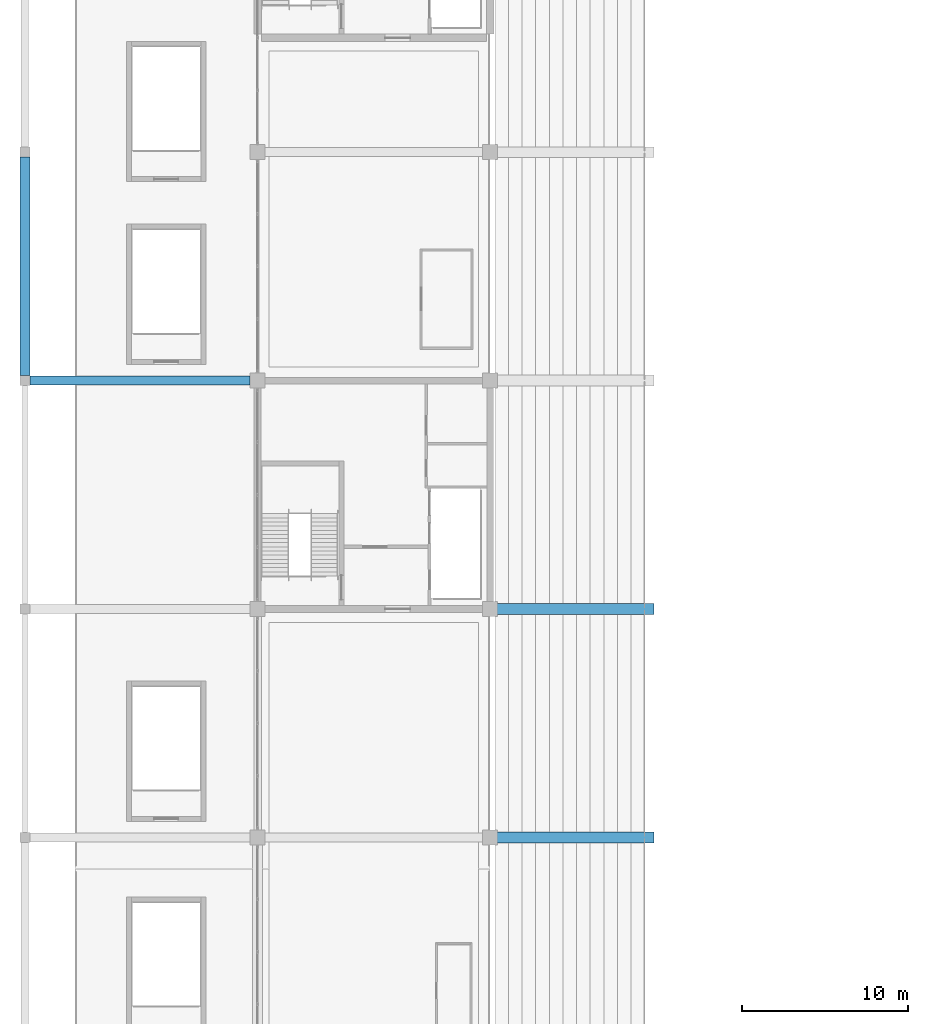
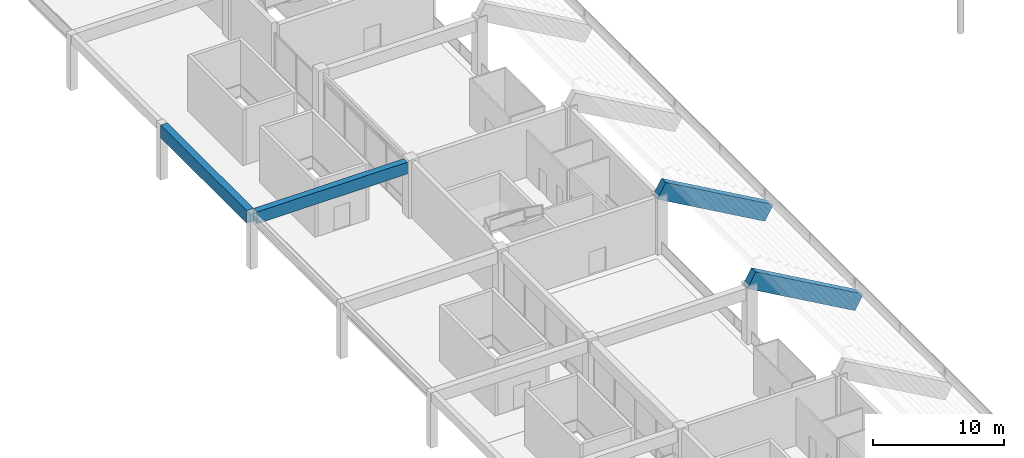
# One storey, part 30 of 90: 4 beams.
"""IFC4 building model written with IfcOpenShell, lengths in metres."""

import ifcopenshell
import ifcopenshell.guid

model = None  # the IFC model being written
_history = None  # IfcOwnerHistory: only IFC2X3 demands one
_inside = {}  # id of a spatial element -> (the spatial element, [elements in it])
_under = {}  # id of a project, library or spatial element -> (it, [spatial elements below it])
_declared = {}  # id of a project -> (the project, [libraries it declares])
_typed = {}  # id of a type object -> (the type object, [elements of that type])
_made_of = {}  # id of a material, layer set ... -> (it, [elements and type objects made of it])


def new_model(schema):
    """Start an empty IFC model of exactly this schema.

    Asked for "IFC4X3", IfcOpenShell would pick the latest addendum, in which some entities
    have other attributes; the version numbers below select the first issue.
    IFC2X3 requires an IfcOwnerHistory on every rooted entity: one is made here for all.
    """
    global model, _history
    if schema == "IFC4X3":
        model = ifcopenshell.file(schema_version=(4, 3, 0, 0))
    else:
        model = ifcopenshell.file(schema=schema)
    _inside.clear()
    _under.clear()
    _declared.clear()
    _typed.clear()
    _made_of.clear()
    _history = None
    if model.schema == "IFC2X3":
        org = make("IfcOrganization", Name="unknown")
        user = make(
            "IfcPersonAndOrganization",
            ThePerson=make("IfcPerson", FamilyName="unknown"),
            TheOrganization=org,
        )
        app = make(
            "IfcApplication",
            ApplicationDeveloper=org,
            Version="unknown",
            ApplicationFullName="unknown",
            ApplicationIdentifier="unknown",
        )
        _history = make(
            "IfcOwnerHistory",
            OwningUser=user,
            OwningApplication=app,
            ChangeAction="ADDED",
            CreationDate=0,
        )
    return model


def make(cls, **values):
    """One entity of the class cls with the attributes given. An attribute that is None is left unset."""
    return model.create_entity(
        cls, **{name: value for name, value in values.items() if value is not None}
    )


def rooted(cls, **values):
    """An entity with a GlobalId (a new one), such as an element, a storey or a relation."""
    return make(cls, GlobalId=ifcopenshell.guid.new(), OwnerHistory=_history, **values)


def si_unit(unit_type, name, prefix=None):
    """IfcSIUnit, for example si_unit("LENGTHUNIT", "METRE", prefix="MILLI")."""
    return make("IfcSIUnit", UnitType=unit_type, Prefix=prefix, Name=name)


def assignment(units):
    """IfcUnitAssignment: the units of a project."""
    return None if units is None else make("IfcUnitAssignment", Units=units)


def point(xyz):
    """IfcCartesianPoint."""
    return None if xyz is None else make("IfcCartesianPoint", Coordinates=xyz)


def direction(xyz):
    """IfcDirection."""
    return None if xyz is None else make("IfcDirection", DirectionRatios=xyz)


def frame(location, z_axis=None, x_axis=None):
    """IfcAxis2Placement3D, a coordinate frame: its origin and axes. An axis left out is left unset."""
    return make(
        "IfcAxis2Placement3D",
        Location=point(location),
        Axis=direction(z_axis),
        RefDirection=direction(x_axis),
    )


def frame_2d(location, x_axis=None):
    """IfcAxis2Placement2D, a coordinate frame in the plane: its origin and x axis."""
    return make(
        "IfcAxis2Placement2D", Location=point(location), RefDirection=direction(x_axis)
    )


def origin():
    """The frame at (0, 0, 0) with its axes left unset."""
    return frame((0.0, 0.0, 0.0))


def origin_2d():
    """The frame at (0, 0) in the plane with its x axis left unset."""
    return frame_2d((0.0, 0.0))


def place(relative_to, where):
    """IfcLocalPlacement: puts the frame where relative to a parent placement (None: the world)."""
    return make(
        "IfcLocalPlacement", PlacementRelTo=relative_to, RelativePlacement=where
    )


def context(
    kind, dimensions, precision=None, world=None, true_north=None, identifier=None
):
    """IfcGeometricRepresentationContext, for example the 3D "Model" context."""
    return make(
        "IfcGeometricRepresentationContext",
        ContextIdentifier=identifier,
        ContextType=kind,
        CoordinateSpaceDimension=dimensions,
        Precision=precision,
        WorldCoordinateSystem=world,
        TrueNorth=true_north,
    )


def subcontext(parent, identifier, kind, view, scale=None):
    """IfcGeometricRepresentationSubContext, for example "Body" below "Model"."""
    return make(
        "IfcGeometricRepresentationSubContext",
        ContextIdentifier=identifier,
        ContextType=kind,
        ParentContext=parent,
        TargetScale=scale,
        TargetView=view,
    )


def project(units=None, contexts=None):
    """IfcProject with its units and contexts."""
    return rooted(
        "IfcProject",
        Name="project",
        RepresentationContexts=contexts,
        UnitsInContext=assignment(units),
    )


def spatial(cls, under=None, at=None, **own):
    """A site, building, storey or space (cls), placed at a placement, below another one or the project."""
    s = rooted(cls, ObjectPlacement=at, **own)
    if under is not None:
        _under.setdefault(under.id(), (under, []))[1].append(s)
    return s


def profile(cls, at=None, kind="AREA", **sizes):
    """A parametric profile (cls). Its sizes go by their IFC names, for example OverallWidth=200.0."""
    return make(cls, ProfileType=kind, Position=at, **sizes)


def rectangle(**sizes):
    """IfcRectangleProfileDef."""
    return profile("IfcRectangleProfileDef", **sizes)


def extrude(swept, where, along, depth):
    """IfcExtrudedAreaSolid: the profile swept, set in the frame where, extruded along a direction by depth."""
    return make(
        "IfcExtrudedAreaSolid",
        SweptArea=swept,
        Position=where,
        ExtrudedDirection=direction(along),
        Depth=depth,
    )


def shape(context_of_items, identifier, shape_type, items):
    """IfcShapeRepresentation: the items that make up one representation, for example the "Body"."""
    return make(
        "IfcShapeRepresentation",
        ContextOfItems=context_of_items,
        RepresentationIdentifier=identifier,
        RepresentationType=shape_type,
        Items=items,
    )


def material(Name=None, Category=None):
    """IfcMaterial."""
    return make("IfcMaterial", Name=Name, Category=Category)


def material_profile(
    of_material, cross_section, Name=None, Category=None, Priority=None
):
    """IfcMaterialProfile: a cross section and its material."""
    return make(
        "IfcMaterialProfile",
        Name=Name,
        Material=of_material,
        Profile=cross_section,
        Priority=Priority,
        Category=Category,
    )


def profile_set(profiles, Name=None, composite=None):
    """IfcMaterialProfileSet."""
    return make(
        "IfcMaterialProfileSet",
        Name=Name,
        MaterialProfiles=profiles,
        CompositeProfile=composite,
    )


def made_of(thing, what):
    """Note that an element or type object is made of a material, layer set ...; save() writes the relation."""
    if what is not None:
        _made_of.setdefault(what.id(), (what, []))[1].append(thing)
    return thing


def type_object(cls, material=None, **own):
    """A type object (cls), such as IfcWallType, which elements share."""
    return made_of(rooted(cls, **own), material)


def element(
    cls,
    number,
    at=None,
    inside=None,
    cuts=None,
    type_object=None,
    material=None,
    context=None,
    identifier="Body",
    shape_type=None,
    held_by="IfcProductDefinitionShape",
    body=None,
    shapes=None,
    **own,
):
    """One element of the class cls, such as IfcWall. Its Tag is "e" and its number.

    at: its placement. inside: the storey or other place that contains it. cuts: it is an
    opening in that element (IfcRelVoidsElement). A single representation is given by context,
    identifier, shape_type and body (its items); several are given by shapes. held_by: the class
    of the entity that holds the representations. save() writes the other relations.
    """
    e = rooted(cls, Tag="e%d" % number, ObjectPlacement=at, **own)
    if body is not None:
        shapes = [shape(context, identifier, shape_type, body)]
    if shapes is not None:
        e.Representation = make(held_by, Representations=shapes)
    if inside is not None:
        _inside.setdefault(inside.id(), (inside, []))[1].append(e)
    if cuts is not None:
        rooted(
            "IfcRelVoidsElement", RelatingBuildingElement=cuts, RelatedOpeningElement=e
        )
    if type_object is not None:
        _typed.setdefault(type_object.id(), (type_object, []))[1].append(e)
    return made_of(e, material)


def aggregate(whole, parts):
    """IfcRelAggregates: a whole, such as a stair, and the parts it consists of."""
    return rooted("IfcRelAggregates", RelatingObject=whole, RelatedObjects=parts)


def save(model, path):
    """Write the relations noted so far, then the file.

    IfcRelAggregates (storeys below a building ...), IfcRelContainedInSpatialStructure (elements
    in a storey), IfcRelDefinesByType, IfcRelAssociatesMaterial and IfcRelDeclares: one each for
    every whole, place, type object, material and project.
    """
    for whole, parts in _under.values():
        aggregate(whole, parts)
    for where, things in _inside.values():
        rooted(
            "IfcRelContainedInSpatialStructure",
            RelatedElements=things,
            RelatingStructure=where,
        )
    for kind, things in _typed.values():
        rooted("IfcRelDefinesByType", RelatedObjects=things, RelatingType=kind)
    for what, things in _made_of.values():
        rooted("IfcRelAssociatesMaterial", RelatedObjects=things, RelatingMaterial=what)
    for by, libraries in _declared.values():
        rooted("IfcRelDeclares", RelatingContext=by, RelatedDefinitions=libraries)
    model.write(path)


model = new_model("IFC4")

# Units and contexts
model_context = context("Model", 3, precision=1e-05, world=origin(), true_north=direction((0.0, 1.0)))
body_context = subcontext(model_context, "Body", "Model", "MODEL_VIEW")
ifc_project = project(units=[si_unit("LENGTHUNIT", "METRE"), si_unit("AREAUNIT", "SQUARE_METRE"), si_unit("VOLUMEUNIT", "CUBIC_METRE"), si_unit("PLANEANGLEUNIT", "RADIAN"), si_unit("MASSUNIT", "GRAM", prefix="KILO")], contexts=[model_context])

# Site, building, storey
site_placement = place(None, origin())
site = spatial("IfcSite", under=ifc_project, at=site_placement, CompositionType="ELEMENT")
building_placement = place(site_placement, origin())
building = spatial("IfcBuilding", under=site, at=building_placement, Name="Linyun Crest Stadium", CompositionType="ELEMENT")
storey_placement = place(building_placement, frame((0.0, 0.0, 21.0)))
storey = spatial("IfcBuildingStorey", under=building, at=storey_placement, Name="L05", CompositionType="ELEMENT", Elevation=21.0)

# Beams
ifc_material_1 = material(Name="Precast concrete C50", Category="concrete")
ifc_material_profile_1 = material_profile(ifc_material_1, rectangle(XDim=0.64990234375, YDim=1.5, at=origin_2d()), Name="PCR 1500x650")
ifc_profile_set_1 = profile_set([ifc_material_profile_1], Name="Precast concrete C50")
beam_type_1 = type_object("IfcBeamType", Name="RB04", PredefinedType="USERDEFINED", material=ifc_profile_set_1)
for number, where, z_axis, x_axis, name in (
    (1, (-60.5, -11.625, 0.39990234375), (-0.869361451527, 0.0, 0.494176756433), (0.0, -1.0, 0.0), "Precast raker beam RB04 V1 28"),
    (2, (-60.5, 2.125, 0.39990234375), (-0.869361451527, 0.0, 0.494176756433), (0.0, -1.0, 0.0), "Precast raker beam RB04 V1 36"),
):
    element("IfcBeam", number, at=place(storey_placement, frame(where, z_axis=z_axis, x_axis=x_axis)), inside=storey, type_object=beam_type_1, Name=name, ObjectType="RAKER", PredefinedType="USERDEFINED", context=body_context, shape_type="SweptSolid", body=[
        extrude(rectangle(XDim=0.64990234375, YDim=1.5, at=origin_2d()), origin(), (0.0, 0.0, 1.0), 10.927490234375),
    ])
ifc_material_2 = material(Name="Concrete C50", Category="concrete")
ifc_material_profile_2 = material_profile(ifc_material_2, rectangle(XDim=0.550048828125, YDim=1.10009765625, at=origin_2d()), Name="RCB 1100x550")
ifc_profile_set_2 = profile_set([ifc_material_profile_2], Name="Concrete C50")
beam_type_2 = type_object("IfcBeamType", Name="TB01", PredefinedType="USERDEFINED", material=ifc_profile_set_2)
beam_1_placement = place(storey_placement, frame((-97.699951171875, 15.875, 4.610107421875), z_axis=(1.0, 0.0, 0.0), x_axis=(0.0, 1.0, 0.0)))
element("IfcBeam", 3, at=beam_1_placement, inside=storey, type_object=beam_type_2, Name="Frame beam TB01 L05 355", ObjectType="GIRDER", PredefinedType="USERDEFINED", context=body_context, shape_type="SweptSolid", body=[
    extrude(rectangle(XDim=0.550048828125, YDim=1.10009765625, at=origin_2d()), origin(), (0.0, 0.0, 1.0), 13.25),
])
ifc_material_3 = material(Name="Concrete C50", Category="concrete")
ifc_material_profile_3 = material_profile(ifc_material_3, rectangle(XDim=0.60009765625, YDim=1.199951171875, at=origin_2d()), Name="RCB 1200x600")
ifc_profile_set_3 = profile_set([ifc_material_profile_3], Name="Concrete C50")
beam_type_3 = type_object("IfcBeamType", Name="TB02", PredefinedType="USERDEFINED", material=ifc_profile_set_3)
beam_2_placement = place(storey_placement, frame((-98.0, 16.175048828125, 4.56005859375), z_axis=(0.0, 1.0, 0.0), x_axis=(-1.0, 0.0, 0.0)))
element("IfcBeam", 4, at=beam_2_placement, inside=storey, type_object=beam_type_3, Name="Frame beam TB02 L05 363", ObjectType="GIRDER", PredefinedType="USERDEFINED", context=body_context, shape_type="SweptSolid", body=[
    extrude(rectangle(XDim=0.60009765625, YDim=1.199951171875, at=origin_2d()), origin(), (0.0, 0.0, 1.0), 13.14990234375),
])

save(model, "model.ifc")
